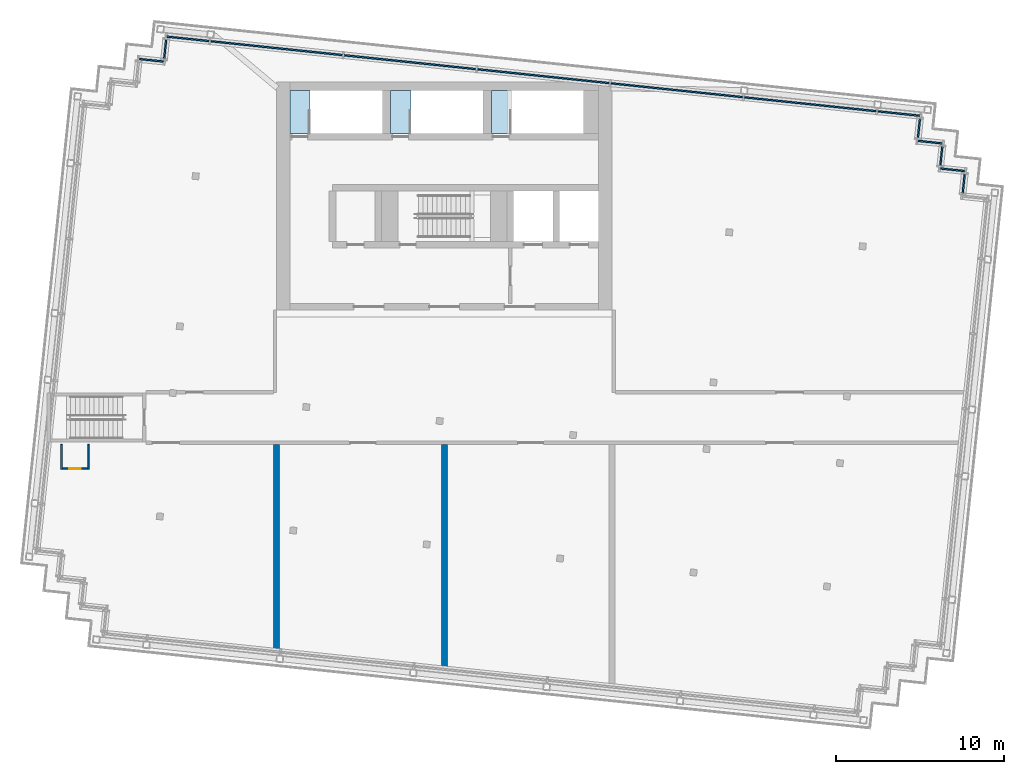
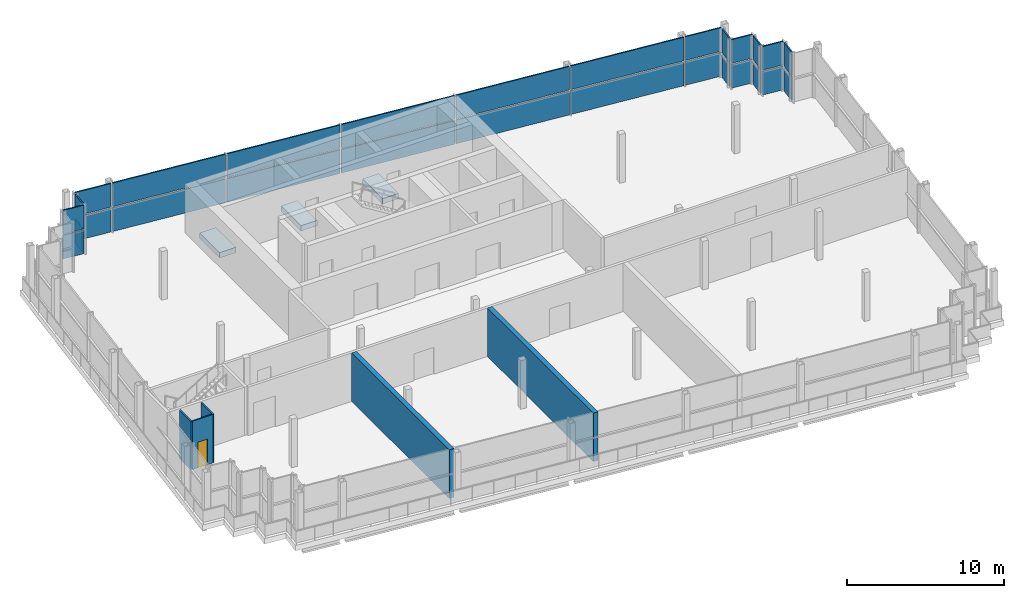
# One storey, part 7 of 13: 28 plates, 5 walls, 3 slabs, 1 door, 1 opening, 8 elements without a shape of their own.
"""IFC4 building model written with IfcOpenShell, lengths in metres."""

from ifc_helpers import new_model, si_unit, direction, frame, frame_2d, origin, origin_2d, place, context, subcontext, project, spatial, polyline, rectangle, outline, extrude, material, layer, layer_set, type_object, element, fill, aggregate, save


model = new_model("IFC4")

# Units and contexts
model_context = context("Model", 3, precision=1e-05, world=origin(), true_north=direction((0.0, 1.0)))
body_context = subcontext(model_context, "Body", "Model", "MODEL_VIEW")
ifc_project = project(units=[si_unit("LENGTHUNIT", "METRE"), si_unit("AREAUNIT", "SQUARE_METRE"), si_unit("VOLUMEUNIT", "CUBIC_METRE"), si_unit("PLANEANGLEUNIT", "RADIAN"), si_unit("MASSUNIT", "GRAM", prefix="KILO")], contexts=[model_context])

# Site, building, storey
site_placement = place(None, origin())
site = spatial("IfcSite", under=ifc_project, at=site_placement, CompositionType="ELEMENT")
building_placement = place(site_placement, origin())
building = spatial("IfcBuilding", under=site, at=building_placement, Name="Vidyagriha Tower", CompositionType="ELEMENT")
storey_placement = place(building_placement, frame((0.0, 0.0, 309.199951171875)))
storey = spatial("IfcBuildingStorey", under=building, at=storey_placement, Name="L79", CompositionType="ELEMENT", Elevation=309.199951171875)

# Slabs
ifc_material_1 = material(Name="Concrete C40/50", Category="concrete")
ifc_layer_1 = layer(ifc_material_1, 0.419921875)
ifc_layer_set_1 = layer_set([ifc_layer_1], Name="Concrete C40/50")
slab_type = type_object("IfcSlabType", Name="Exit stair floor landing 420 mm", PredefinedType="LANDING", material=ifc_layer_set_1)
slab_1_placement = place(storey_placement, frame((0.0, 0.0, -0.419921875)))
element("IfcSlab", 1, at=slab_1_placement, inside=storey, type_object=slab_type, Name="ST1 floor landing L79", PredefinedType="LANDING", context=body_context, shape_type="SweptSolid", body=[
    extrude(outline(polyline([(-9.199951171875, 16.949951171875), (-8.0, 16.949951171875), (-8.0, 19.5), (-9.199951171875, 19.5), (-9.199951171875, 16.949951171875)])), origin(), (0.0, 0.0, 1.0), 0.419921875),
])
slab_2_placement = place(storey_placement, frame((0.0, 0.0, -0.419921875)))
element("IfcSlab", 2, at=slab_2_placement, inside=storey, type_object=slab_type, Name="ST2 floor landing L79", PredefinedType="LANDING", context=body_context, shape_type="SweptSolid", body=[
    extrude(outline(polyline([(-3.199951171875, 16.949951171875), (-2.0, 16.949951171875), (-2.0, 19.5), (-3.199951171875, 19.5), (-3.199951171875, 16.949951171875)])), origin(), (0.0, 0.0, 1.0), 0.419921875),
])
slab_3_placement = place(storey_placement, frame((0.0, 0.0, -0.419921875)))
element("IfcSlab", 3, at=slab_3_placement, inside=storey, type_object=slab_type, Name="ST3 floor landing L79", PredefinedType="LANDING", context=body_context, shape_type="SweptSolid", body=[
    extrude(outline(polyline([(2.800048828125, 16.949951171875), (4.0, 16.949951171875), (4.0, 19.5), (2.800048828125, 19.5), (2.800048828125, 16.949951171875)])), origin(), (0.0, 0.0, 1.0), 0.419921875),
])

# Curtain wall, plates
ifc_material_2 = material(Name="Aluminium and glass curtain wall", Category="aluminium")
curtain_wall_type = type_object("IfcCurtainWallType", Name="Crown plant louvre wall", PredefinedType="USERDEFINED", material=ifc_material_2)
curtain_wall_1_placement = place(storey_placement, origin())
curtain_wall_1 = element("IfcCurtainWall", 4, at=curtain_wall_1_placement, inside=storey, type_object=curtain_wall_type, Name="CW9 crown plant louvre wall", ObjectType="STICK GLAZING", PredefinedType="USERDEFINED")
ifc_material_3 = material(Name="Perforated fired clay brick jaali screen", Category="masonry")
ifc_layer_2 = layer(ifc_material_3, 0.10009765625)
ifc_layer_set_2 = layer_set([ifc_layer_2], Name="Perforated fired clay brick jaali screen")
plate_type = type_object("IfcPlateType", Name="Perforated brick jaali screen panel", PredefinedType="CURTAIN_PANEL", material=ifc_layer_set_2)
plate_1_placement = place(storey_placement, frame((30.973876953125, 13.949462890625, 0.0), z_axis=(0.0, 0.0, 1.0), x_axis=(0.104475014354, 0.994527511623, 0.0)))
plate_1 = element("IfcPlate", 5, at=plate_1_placement, type_object=plate_type, Name="CW9 panel 1.1", PredefinedType="CURTAIN_PANEL", context=body_context, shape_type="SweptSolid", body=[
    extrude(rectangle(XDim=1.139892578125, YDim=0.10009765625, at=origin_2d()), origin(), (0.0, 0.0, 1.0), 1.840087890625),
])
plate_2_placement = place(storey_placement, frame((30.973876953125, 13.949462890625, 1.93994140625), z_axis=(0.0, 0.0, 1.0), x_axis=(0.104475014354, 0.994527511623, 0.0)))
plate_2 = element("IfcPlate", 6, at=plate_2_placement, type_object=plate_type, Name="CW9 panel 1.2", PredefinedType="CURTAIN_PANEL", context=body_context, shape_type="SweptSolid", body=[
    extrude(rectangle(XDim=1.139892578125, YDim=0.10009765625, at=origin_2d()), origin(), (0.0, 0.0, 1.0), 1.840087890625),
])
aggregate(curtain_wall_1, [plate_1, plate_2])

curtain_wall_2_placement = place(storey_placement, origin())
curtain_wall_2 = element("IfcCurtainWall", 7, at=curtain_wall_2_placement, inside=storey, type_object=curtain_wall_type, Name="CW9 crown plant louvre wall", ObjectType="STICK GLAZING", PredefinedType="USERDEFINED")
plate_3_placement = place(storey_placement, frame((30.30615234375, 14.773681640625, 0.0), z_axis=(0.0, 0.0, 1.0), x_axis=(-0.994522933756, 0.104518583201, 0.0)))
plate_3 = element("IfcPlate", 8, at=plate_3_placement, type_object=plate_type, Name="CW9 panel 1.1", PredefinedType="CURTAIN_PANEL", context=body_context, shape_type="SweptSolid", body=[
    extrude(rectangle(XDim=1.4599609375, YDim=0.10009765625, at=origin_2d()), origin(), (0.0, 0.0, 1.0), 1.840087890625),
])
plate_4_placement = place(storey_placement, frame((30.30615234375, 14.773681640625, 1.93994140625), z_axis=(0.0, 0.0, 1.0), x_axis=(-0.994522933756, 0.104518583201, 0.0)))
plate_4 = element("IfcPlate", 9, at=plate_4_placement, type_object=plate_type, Name="CW9 panel 1.2", PredefinedType="CURTAIN_PANEL", context=body_context, shape_type="SweptSolid", body=[
    extrude(rectangle(XDim=1.4599609375, YDim=0.10009765625, at=origin_2d()), origin(), (0.0, 0.0, 1.0), 1.840087890625),
])
aggregate(curtain_wall_2, [plate_3, plate_4])

curtain_wall_3_placement = place(storey_placement, origin())
curtain_wall_3 = element("IfcCurtainWall", 10, at=curtain_wall_3_placement, inside=storey, type_object=curtain_wall_type, Name="CW9 crown plant louvre wall", ObjectType="STICK GLAZING", PredefinedType="USERDEFINED")
plate_5_placement = place(storey_placement, frame((29.638916015625, 15.59814453125, 0.0), z_axis=(0.0, 0.0, 1.0), x_axis=(0.104556583677, 0.994518939392, 0.0)))
plate_5 = element("IfcPlate", 11, at=plate_5_placement, type_object=plate_type, Name="CW9 panel 1.1", PredefinedType="CURTAIN_PANEL", context=body_context, shape_type="SweptSolid", body=[
    extrude(rectangle(XDim=1.139892578125, YDim=0.10009765625, at=origin_2d()), origin(), (0.0, 0.0, 1.0), 1.840087890625),
])
plate_6_placement = place(storey_placement, frame((29.638916015625, 15.59814453125, 1.93994140625), z_axis=(0.0, 0.0, 1.0), x_axis=(0.104556583677, 0.994518939392, 0.0)))
plate_6 = element("IfcPlate", 12, at=plate_6_placement, type_object=plate_type, Name="CW9 panel 1.2", PredefinedType="CURTAIN_PANEL", context=body_context, shape_type="SweptSolid", body=[
    extrude(rectangle(XDim=1.139892578125, YDim=0.10009765625, at=origin_2d()), origin(), (0.0, 0.0, 1.0), 1.840087890625),
])
aggregate(curtain_wall_3, [plate_5, plate_6])

curtain_wall_4_placement = place(storey_placement, origin())
curtain_wall_4 = element("IfcCurtainWall", 13, at=curtain_wall_4_placement, inside=storey, type_object=curtain_wall_type, Name="CW9 crown plant louvre wall", ObjectType="STICK GLAZING", PredefinedType="USERDEFINED")
plate_7_placement = place(storey_placement, frame((28.97119140625, 16.42236328125, 0.0), z_axis=(0.0, 0.0, 1.0), x_axis=(-0.994522933756, 0.104518583201, 0.0)))
plate_7 = element("IfcPlate", 14, at=plate_7_placement, type_object=plate_type, Name="CW9 panel 1.1", PredefinedType="CURTAIN_PANEL", context=body_context, shape_type="SweptSolid", body=[
    extrude(rectangle(XDim=1.4599609375, YDim=0.10009765625, at=origin_2d()), origin(), (0.0, 0.0, 1.0), 1.840087890625),
])
plate_8_placement = place(storey_placement, frame((28.97119140625, 16.42236328125, 1.93994140625), z_axis=(0.0, 0.0, 1.0), x_axis=(-0.994522933756, 0.104518583201, 0.0)))
plate_8 = element("IfcPlate", 15, at=plate_8_placement, type_object=plate_type, Name="CW9 panel 1.2", PredefinedType="CURTAIN_PANEL", context=body_context, shape_type="SweptSolid", body=[
    extrude(rectangle(XDim=1.4599609375, YDim=0.10009765625, at=origin_2d()), origin(), (0.0, 0.0, 1.0), 1.840087890625),
])
aggregate(curtain_wall_4, [plate_7, plate_8])

curtain_wall_5_placement = place(storey_placement, origin())
curtain_wall_5 = element("IfcCurtainWall", 16, at=curtain_wall_5_placement, inside=storey, type_object=curtain_wall_type, Name="CW9 crown plant louvre wall", ObjectType="STICK GLAZING", PredefinedType="USERDEFINED")
plate_9_placement = place(storey_placement, frame((28.3037109375, 17.24658203125, 0.0), z_axis=(0.0, 0.0, 1.0), x_axis=(0.104556583677, 0.994518939392, 0.0)))
plate_9 = element("IfcPlate", 17, at=plate_9_placement, type_object=plate_type, Name="CW9 panel 1.1", PredefinedType="CURTAIN_PANEL", context=body_context, shape_type="SweptSolid", body=[
    extrude(rectangle(XDim=1.139892578125, YDim=0.10009765625, at=origin_2d()), origin(), (0.0, 0.0, 1.0), 1.840087890625),
])
plate_10_placement = place(storey_placement, frame((28.3037109375, 17.24658203125, 1.93994140625), z_axis=(0.0, 0.0, 1.0), x_axis=(0.104556583677, 0.994518939392, 0.0)))
plate_10 = element("IfcPlate", 18, at=plate_10_placement, type_object=plate_type, Name="CW9 panel 1.2", PredefinedType="CURTAIN_PANEL", context=body_context, shape_type="SweptSolid", body=[
    extrude(rectangle(XDim=1.139892578125, YDim=0.10009765625, at=origin_2d()), origin(), (0.0, 0.0, 1.0), 1.840087890625),
])
aggregate(curtain_wall_5, [plate_9, plate_10])

curtain_wall_6_placement = place(storey_placement, origin())
curtain_wall_6 = element("IfcCurtainWall", 19, at=curtain_wall_6_placement, inside=storey, type_object=curtain_wall_type, Name="CW9 crown plant louvre wall", ObjectType="STICK GLAZING", PredefinedType="USERDEFINED")
plate_11_placement = place(storey_placement, frame((27.104248046875, 18.126953125, 0.0), z_axis=(0.0, 0.0, 1.0), x_axis=(-0.994521941707, 0.104528022383, 0.0)))
plate_11 = element("IfcPlate", 20, at=plate_11_placement, type_object=plate_type, Name="CW9 panel 1.1", PredefinedType="CURTAIN_PANEL", context=body_context, shape_type="SweptSolid", body=[
    extrude(rectangle(XDim=2.530029296875, YDim=0.10009765625, at=origin_2d()), origin(), (0.0, 0.0, 1.0), 1.840087890625),
])
plate_12_placement = place(storey_placement, frame((27.104248046875, 18.126953125, 1.93994140625), z_axis=(0.0, 0.0, 1.0), x_axis=(-0.994521941707, 0.104528022383, 0.0)))
plate_12 = element("IfcPlate", 21, at=plate_12_placement, type_object=plate_type, Name="CW9 panel 1.2", PredefinedType="CURTAIN_PANEL", context=body_context, shape_type="SweptSolid", body=[
    extrude(rectangle(XDim=2.530029296875, YDim=0.10009765625, at=origin_2d()), origin(), (0.0, 0.0, 1.0), 1.840087890625),
])
plate_13_placement = place(storey_placement, frame((21.818359375, 18.682373046875, 0.0), z_axis=(0.0, 0.0, 1.0), x_axis=(-0.994521941707, 0.104528022383, 0.0)))
plate_13 = element("IfcPlate", 22, at=plate_13_placement, type_object=plate_type, Name="CW9 panel 2.1", PredefinedType="CURTAIN_PANEL", context=body_context, shape_type="SweptSolid", body=[
    extrude(rectangle(XDim=7.89990234375, YDim=0.10009765625, at=origin_2d()), origin(), (0.0, 0.0, 1.0), 1.840087890625),
])
plate_14_placement = place(storey_placement, frame((21.818359375, 18.682373046875, 1.93994140625), z_axis=(0.0, 0.0, 1.0), x_axis=(-0.994521941707, 0.104528022383, 0.0)))
plate_14 = element("IfcPlate", 23, at=plate_14_placement, type_object=plate_type, Name="CW9 panel 2.2", PredefinedType="CURTAIN_PANEL", context=body_context, shape_type="SweptSolid", body=[
    extrude(rectangle(XDim=7.89990234375, YDim=0.10009765625, at=origin_2d()), origin(), (0.0, 0.0, 1.0), 1.840087890625),
])
plate_15_placement = place(storey_placement, frame((13.862060546875, 19.518798828125, 0.0), z_axis=(0.0, 0.0, 1.0), x_axis=(-0.994521941707, 0.104528022383, 0.0)))
plate_15 = element("IfcPlate", 24, at=plate_15_placement, type_object=plate_type, Name="CW9 panel 3.1", PredefinedType="CURTAIN_PANEL", context=body_context, shape_type="SweptSolid", body=[
    extrude(rectangle(XDim=7.89990234375, YDim=0.10009765625, at=origin_2d()), origin(), (0.0, 0.0, 1.0), 1.840087890625),
])
plate_16_placement = place(storey_placement, frame((13.862060546875, 19.518798828125, 1.93994140625), z_axis=(0.0, 0.0, 1.0), x_axis=(-0.994521941707, 0.104528022383, 0.0)))
plate_16 = element("IfcPlate", 25, at=plate_16_placement, type_object=plate_type, Name="CW9 panel 3.2", PredefinedType="CURTAIN_PANEL", context=body_context, shape_type="SweptSolid", body=[
    extrude(rectangle(XDim=7.89990234375, YDim=0.10009765625, at=origin_2d()), origin(), (0.0, 0.0, 1.0), 1.840087890625),
])
plate_17_placement = place(storey_placement, frame((5.906005859375, 20.35498046875, 0.0), z_axis=(0.0, 0.0, 1.0), x_axis=(-0.994521941707, 0.104528022383, 0.0)))
plate_17 = element("IfcPlate", 26, at=plate_17_placement, type_object=plate_type, Name="CW9 panel 4.1", PredefinedType="CURTAIN_PANEL", context=body_context, shape_type="SweptSolid", body=[
    extrude(rectangle(XDim=7.89990234375, YDim=0.10009765625, at=origin_2d()), origin(), (0.0, 0.0, 1.0), 1.840087890625),
])
plate_18_placement = place(storey_placement, frame((5.906005859375, 20.35498046875, 1.93994140625), z_axis=(0.0, 0.0, 1.0), x_axis=(-0.994521941707, 0.104528022383, 0.0)))
plate_18 = element("IfcPlate", 27, at=plate_18_placement, type_object=plate_type, Name="CW9 panel 4.2", PredefinedType="CURTAIN_PANEL", context=body_context, shape_type="SweptSolid", body=[
    extrude(rectangle(XDim=7.89990234375, YDim=0.10009765625, at=origin_2d()), origin(), (0.0, 0.0, 1.0), 1.840087890625),
])
plate_19_placement = place(storey_placement, frame((-2.05029296875, 21.191162109375, 0.0), z_axis=(0.0, 0.0, 1.0), x_axis=(-0.994521941707, 0.104528022383, 0.0)))
plate_19 = element("IfcPlate", 28, at=plate_19_placement, type_object=plate_type, Name="CW9 panel 5.1", PredefinedType="CURTAIN_PANEL", context=body_context, shape_type="SweptSolid", body=[
    extrude(rectangle(XDim=7.89990234375, YDim=0.10009765625, at=origin_2d()), origin(), (0.0, 0.0, 1.0), 1.840087890625),
])
plate_20_placement = place(storey_placement, frame((-2.05029296875, 21.191162109375, 1.93994140625), z_axis=(0.0, 0.0, 1.0), x_axis=(-0.994521941707, 0.104528022383, 0.0)))
plate_20 = element("IfcPlate", 29, at=plate_20_placement, type_object=plate_type, Name="CW9 panel 5.2", PredefinedType="CURTAIN_PANEL", context=body_context, shape_type="SweptSolid", body=[
    extrude(rectangle(XDim=7.89990234375, YDim=0.10009765625, at=origin_2d()), origin(), (0.0, 0.0, 1.0), 1.840087890625),
])
plate_21_placement = place(storey_placement, frame((-10.00634765625, 22.02734375, 0.0), z_axis=(0.0, 0.0, 1.0), x_axis=(-0.994521941707, 0.104528022383, 0.0)))
plate_21 = element("IfcPlate", 30, at=plate_21_placement, type_object=plate_type, Name="CW9 panel 6.1", PredefinedType="CURTAIN_PANEL", context=body_context, shape_type="SweptSolid", body=[
    extrude(rectangle(XDim=7.89990234375, YDim=0.10009765625, at=origin_2d()), origin(), (0.0, 0.0, 1.0), 1.840087890625),
])
plate_22_placement = place(storey_placement, frame((-10.00634765625, 22.02734375, 1.93994140625), z_axis=(0.0, 0.0, 1.0), x_axis=(-0.994521941707, 0.104528022383, 0.0)))
plate_22 = element("IfcPlate", 31, at=plate_22_placement, type_object=plate_type, Name="CW9 panel 6.2", PredefinedType="CURTAIN_PANEL", context=body_context, shape_type="SweptSolid", body=[
    extrude(rectangle(XDim=7.89990234375, YDim=0.10009765625, at=origin_2d()), origin(), (0.0, 0.0, 1.0), 1.840087890625),
])
plate_23_placement = place(storey_placement, frame((-15.292236328125, 22.5830078125, 0.0), z_axis=(0.0, 0.0, 1.0), x_axis=(-0.994521941707, 0.104528022383, 0.0)))
plate_23 = element("IfcPlate", 32, at=plate_23_placement, type_object=plate_type, Name="CW9 panel 7.1", PredefinedType="CURTAIN_PANEL", context=body_context, shape_type="SweptSolid", body=[
    extrude(rectangle(XDim=2.530029296875, YDim=0.10009765625, at=origin_2d()), origin(), (0.0, 0.0, 1.0), 1.840087890625),
])
plate_24_placement = place(storey_placement, frame((-15.292236328125, 22.5830078125, 1.93994140625), z_axis=(0.0, 0.0, 1.0), x_axis=(-0.994521941707, 0.104528022383, 0.0)))
plate_24 = element("IfcPlate", 33, at=plate_24_placement, type_object=plate_type, Name="CW9 panel 7.2", PredefinedType="CURTAIN_PANEL", context=body_context, shape_type="SweptSolid", body=[
    extrude(rectangle(XDim=2.530029296875, YDim=0.10009765625, at=origin_2d()), origin(), (0.0, 0.0, 1.0), 1.840087890625),
])
aggregate(curtain_wall_6, [plate_11, plate_12, plate_13, plate_14, plate_15, plate_16, plate_17, plate_18, plate_19, plate_20, plate_21, plate_22, plate_23, plate_24])

curtain_wall_7_placement = place(storey_placement, origin())
curtain_wall_7 = element("IfcCurtainWall", 34, at=curtain_wall_7_placement, inside=storey, type_object=curtain_wall_type, Name="CW9 crown plant louvre wall", ObjectType="STICK GLAZING", PredefinedType="USERDEFINED")
plate_25_placement = place(storey_placement, frame((-16.648681640625, 21.971435546875, 0.0), z_axis=(0.0, 0.0, 1.0), x_axis=(-0.104548823962, -0.994519755162, 0.0)))
plate_25 = element("IfcPlate", 35, at=plate_25_placement, type_object=plate_type, Name="CW9 panel 1.1", PredefinedType="CURTAIN_PANEL", context=body_context, shape_type="SweptSolid", body=[
    extrude(rectangle(XDim=1.139892578125, YDim=0.10009765625, at=origin_2d()), origin(), (0.0, 0.0, 1.0), 1.840087890625),
])
plate_26_placement = place(storey_placement, frame((-16.648681640625, 21.971435546875, 1.93994140625), z_axis=(0.0, 0.0, 1.0), x_axis=(-0.104548823962, -0.994519755162, 0.0)))
plate_26 = element("IfcPlate", 36, at=plate_26_placement, type_object=plate_type, Name="CW9 panel 1.2", PredefinedType="CURTAIN_PANEL", context=body_context, shape_type="SweptSolid", body=[
    extrude(rectangle(XDim=1.139892578125, YDim=0.10009765625, at=origin_2d()), origin(), (0.0, 0.0, 1.0), 1.840087890625),
])
aggregate(curtain_wall_7, [plate_25, plate_26])

curtain_wall_8_placement = place(storey_placement, origin())
curtain_wall_8 = element("IfcCurtainWall", 37, at=curtain_wall_8_placement, inside=storey, type_object=curtain_wall_type, Name="CW9 crown plant louvre wall", ObjectType="STICK GLAZING", PredefinedType="USERDEFINED")
plate_27_placement = place(storey_placement, frame((-17.472900390625, 21.303955078125, 0.0), z_axis=(0.0, 0.0, 1.0), x_axis=(-0.994522933756, 0.104518583201, 0.0)))
plate_27 = element("IfcPlate", 38, at=plate_27_placement, type_object=plate_type, Name="CW9 panel 1.1", PredefinedType="CURTAIN_PANEL", context=body_context, shape_type="SweptSolid", body=[
    extrude(rectangle(XDim=1.4599609375, YDim=0.10009765625, at=origin_2d()), origin(), (0.0, 0.0, 1.0), 1.840087890625),
])
plate_28_placement = place(storey_placement, frame((-17.472900390625, 21.303955078125, 1.93994140625), z_axis=(0.0, 0.0, 1.0), x_axis=(-0.994522933756, 0.104518583201, 0.0)))
plate_28 = element("IfcPlate", 39, at=plate_28_placement, type_object=plate_type, Name="CW9 panel 1.2", PredefinedType="CURTAIN_PANEL", context=body_context, shape_type="SweptSolid", body=[
    extrude(rectangle(XDim=1.4599609375, YDim=0.10009765625, at=origin_2d()), origin(), (0.0, 0.0, 1.0), 1.840087890625),
])
aggregate(curtain_wall_8, [plate_27, plate_28])

# Walls
ifc_material_4 = material(Name="Blockwork 15 MPa", Category="masonry")
ifc_layer_3 = layer(ifc_material_4, 0.35009765625)
ifc_layer_set_3 = layer_set([ifc_layer_3], Name="Blockwork 15 MPa")
wall_type_1 = type_object("IfcWallType", Name="Service room partition 350 mm", PredefinedType="PARTITIONING", material=ifc_layer_set_3)
wall_1_placement = place(storey_placement, frame((-10.0, -14.071044921875, 0.0), z_axis=(0.0, 0.0, 1.0), x_axis=(0.0, 1.0, 0.0)))
element("IfcWall", 40, at=wall_1_placement, inside=storey, type_object=wall_type_1, Name="Plant room wall", PredefinedType="PARTITIONING", context=body_context, shape_type="SweptSolid", body=[
    extrude(rectangle(XDim=12.470947265625, YDim=0.35009765625, at=frame_2d((6.2353515625, 0.0))), origin(), (0.0, 0.0, 1.0), 3.780029296875),
])
wall_2_placement = place(storey_placement, frame((0.0, -15.1220703125, 0.0), z_axis=(0.0, 0.0, 1.0), x_axis=(0.0, 1.0, 0.0)))
element("IfcWall", 41, at=wall_2_placement, inside=storey, type_object=wall_type_1, Name="Plant room wall", PredefinedType="PARTITIONING", context=body_context, shape_type="SweptSolid", body=[
    extrude(rectangle(XDim=13.52197265625, YDim=0.35009765625, at=frame_2d((6.760986328125, 0.0))), origin(), (0.0, 0.0, 1.0), 3.780029296875),
])
ifc_material_5 = material(Name="Gypsum shaft liner")
ifc_layer_4 = layer(ifc_material_5, 0.10009765625)
ifc_layer_set_4 = layer_set([ifc_layer_4], Name="Gypsum shaft liner")
wall_type_2 = type_object("IfcWallType", Name="Shaft liner wall 100 mm", PredefinedType="PARTITIONING", material=ifc_layer_set_4)
for number, where, z_axis, x_axis, name in (
    (42, (-22.827392578125, -1.60009765625, 0.0), (0.0, 0.0, 1.0), (0.0, -1.0, 0.0), "Riser liner wall"),
    (43, (-21.227294921875, -1.60009765625, 0.0), (0.0, 0.0, 1.0), (0.0, -1.0, 0.0), "Riser liner wall"),
):
    element("IfcWall", number, at=place(storey_placement, frame(where, z_axis=z_axis, x_axis=x_axis)), inside=storey, type_object=wall_type_2, Name=name, PredefinedType="PARTITIONING", context=body_context, shape_type="SweptSolid", body=[
        extrude(rectangle(XDim=1.5, YDim=0.10009765625, at=frame_2d((0.75, 0.0))), origin(), (0.0, 0.0, 1.0), 3.780029296875),
    ])

# Wall, opening, door
wall_3_placement = place(storey_placement, frame((-22.77734375, -3.050048828125, 0.0)))
wall_3 = element("IfcWall", 44, at=wall_3_placement, inside=storey, type_object=wall_type_2, Name="Riser liner wall", PredefinedType="PARTITIONING", context=body_context, shape_type="SweptSolid", body=[
    extrude(rectangle(XDim=1.5, YDim=0.10009765625, at=frame_2d((0.75, 0.0))), origin(), (0.0, 0.0, 1.0), 3.780029296875),
])
opening_placement = place(wall_3_placement, frame((0.39990234375, 0.0, 0.0)))
opening = element("IfcOpeningElement", 45, at=opening_placement, cuts=wall_3, Name="Opening D79-12", PredefinedType="OPENING", context=body_context, shape_type="SweptSolid", body=[
    extrude(rectangle(XDim=0.699951171875, YDim=2.0, at=frame_2d((0.35009765625, 1.0))), frame((0.0, 0.06005859375, 0.0), z_axis=(0.0, -1.0, 0.0), x_axis=(1.0, 0.0, 0.0)), (0.0, 0.0, 1.0), 0.1201171875),
])
ifc_material_6 = material(Name="Hollow metal door leaf")
door_type = type_object("IfcDoorType", Name="Riser access door 700 x 2000 mm EI 60", OperationType="NOTDEFINED", PredefinedType="DOOR", material=ifc_material_6)
door_placement = place(opening_placement, frame((0.699951171875, 0.0, 0.0), z_axis=(0.0, 0.0, 1.0), x_axis=(-1.0, 0.0, 0.0)))
door = element("IfcDoor", 46, at=door_placement, inside=storey, type_object=door_type, Name="Door riser duct 79.01", OperationType="SINGLE_SWING_RIGHT", OverallHeight=2.0, OverallWidth=0.699951171875, PredefinedType="DOOR", context=body_context, shape_type="SweptSolid", body=[
    extrude(rectangle(XDim=0.699951171875, YDim=2.0, at=frame_2d((0.35009765625, 1.0))), frame((0.0, 0.02490234375, 0.0), z_axis=(0.0, -1.0, 0.0), x_axis=(1.0, 0.0, 0.0)), (0.0, 0.0, 1.0), 0.050048828125),
])
fill(opening, door)

save(model, "model.ifc")
